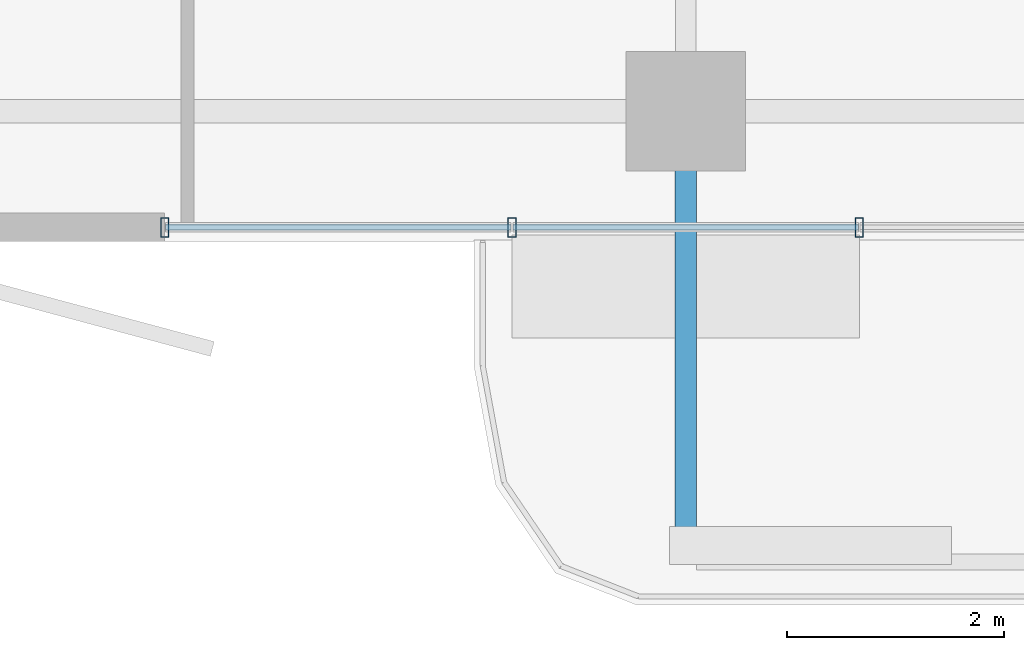
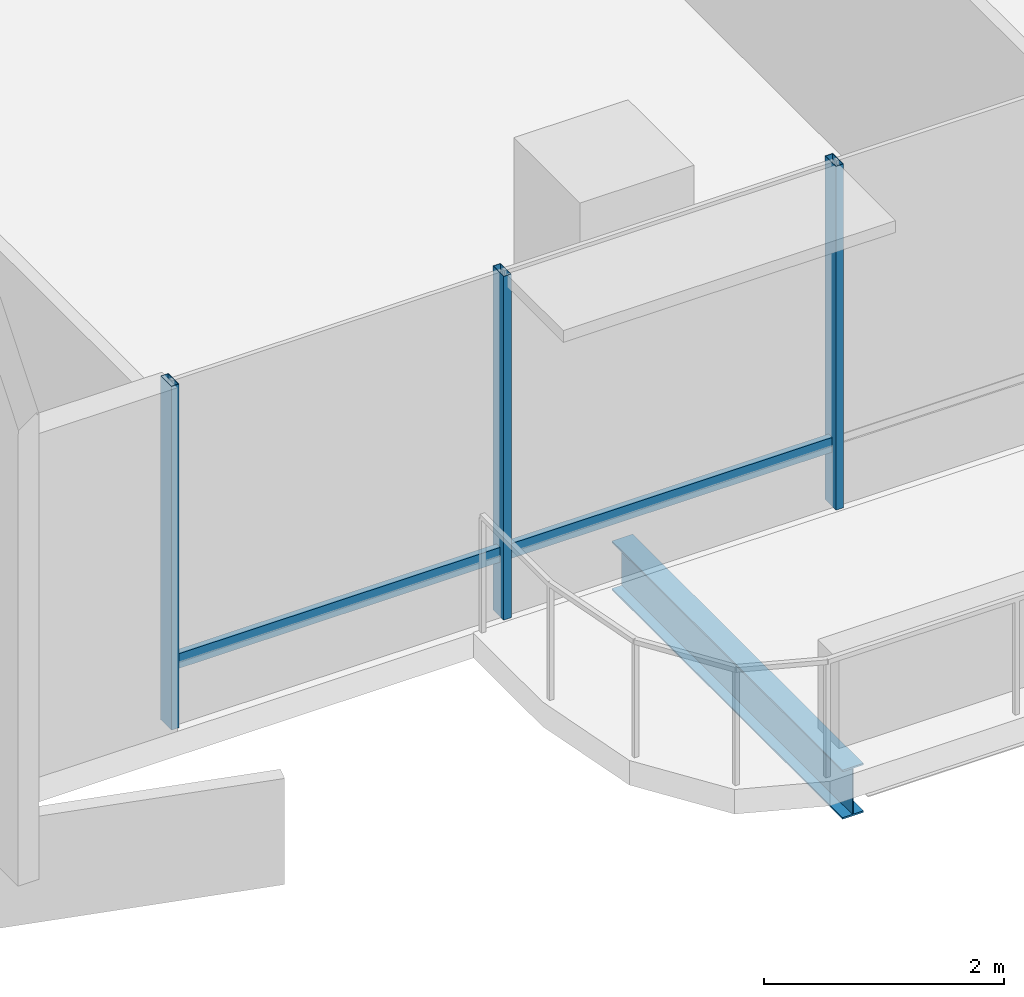
# One storey, part 2 of 24: 5 members, 1 beam, 1 element without a shape of its own.
"""IFC4 building model written with IfcOpenShell, lengths in metres."""

import ifcopenshell
import ifcopenshell.guid

model = None  # the IFC model being written
_history = None  # IfcOwnerHistory: only IFC2X3 demands one
_inside = {}  # id of a spatial element -> (the spatial element, [elements in it])
_under = {}  # id of a project, library or spatial element -> (it, [spatial elements below it])
_declared = {}  # id of a project -> (the project, [libraries it declares])
_typed = {}  # id of a type object -> (the type object, [elements of that type])
_made_of = {}  # id of a material, layer set ... -> (it, [elements and type objects made of it])


def new_model(schema):
    """Start an empty IFC model of exactly this schema.

    Asked for "IFC4X3", IfcOpenShell would pick the latest addendum, in which some entities
    have other attributes; the version numbers below select the first issue.
    IFC2X3 requires an IfcOwnerHistory on every rooted entity: one is made here for all.
    """
    global model, _history
    if schema == "IFC4X3":
        model = ifcopenshell.file(schema_version=(4, 3, 0, 0))
    else:
        model = ifcopenshell.file(schema=schema)
    _inside.clear()
    _under.clear()
    _declared.clear()
    _typed.clear()
    _made_of.clear()
    _history = None
    if model.schema == "IFC2X3":
        org = make("IfcOrganization", Name="unknown")
        user = make(
            "IfcPersonAndOrganization",
            ThePerson=make("IfcPerson", FamilyName="unknown"),
            TheOrganization=org,
        )
        app = make(
            "IfcApplication",
            ApplicationDeveloper=org,
            Version="unknown",
            ApplicationFullName="unknown",
            ApplicationIdentifier="unknown",
        )
        _history = make(
            "IfcOwnerHistory",
            OwningUser=user,
            OwningApplication=app,
            ChangeAction="ADDED",
            CreationDate=0,
        )
    return model


def make(cls, **values):
    """One entity of the class cls with the attributes given. An attribute that is None is left unset."""
    return model.create_entity(
        cls, **{name: value for name, value in values.items() if value is not None}
    )


def rooted(cls, **values):
    """An entity with a GlobalId (a new one), such as an element, a storey or a relation."""
    return make(cls, GlobalId=ifcopenshell.guid.new(), OwnerHistory=_history, **values)


def si_unit(unit_type, name, prefix=None):
    """IfcSIUnit, for example si_unit("LENGTHUNIT", "METRE", prefix="MILLI")."""
    return make("IfcSIUnit", UnitType=unit_type, Prefix=prefix, Name=name)


def assignment(units):
    """IfcUnitAssignment: the units of a project."""
    return None if units is None else make("IfcUnitAssignment", Units=units)


def point(xyz):
    """IfcCartesianPoint."""
    return None if xyz is None else make("IfcCartesianPoint", Coordinates=xyz)


def direction(xyz):
    """IfcDirection."""
    return None if xyz is None else make("IfcDirection", DirectionRatios=xyz)


def frame(location, z_axis=None, x_axis=None):
    """IfcAxis2Placement3D, a coordinate frame: its origin and axes. An axis left out is left unset."""
    return make(
        "IfcAxis2Placement3D",
        Location=point(location),
        Axis=direction(z_axis),
        RefDirection=direction(x_axis),
    )


def frame_2d(location, x_axis=None):
    """IfcAxis2Placement2D, a coordinate frame in the plane: its origin and x axis."""
    return make(
        "IfcAxis2Placement2D", Location=point(location), RefDirection=direction(x_axis)
    )


def origin():
    """The frame at (0, 0, 0) with its axes left unset."""
    return frame((0.0, 0.0, 0.0))


def origin_2d():
    """The frame at (0, 0) in the plane with its x axis left unset."""
    return frame_2d((0.0, 0.0))


def place(relative_to, where):
    """IfcLocalPlacement: puts the frame where relative to a parent placement (None: the world)."""
    return make(
        "IfcLocalPlacement", PlacementRelTo=relative_to, RelativePlacement=where
    )


def context(
    kind, dimensions, precision=None, world=None, true_north=None, identifier=None
):
    """IfcGeometricRepresentationContext, for example the 3D "Model" context."""
    return make(
        "IfcGeometricRepresentationContext",
        ContextIdentifier=identifier,
        ContextType=kind,
        CoordinateSpaceDimension=dimensions,
        Precision=precision,
        WorldCoordinateSystem=world,
        TrueNorth=true_north,
    )


def subcontext(parent, identifier, kind, view, scale=None):
    """IfcGeometricRepresentationSubContext, for example "Body" below "Model"."""
    return make(
        "IfcGeometricRepresentationSubContext",
        ContextIdentifier=identifier,
        ContextType=kind,
        ParentContext=parent,
        TargetScale=scale,
        TargetView=view,
    )


def project(units=None, contexts=None):
    """IfcProject with its units and contexts."""
    return rooted(
        "IfcProject",
        Name="project",
        RepresentationContexts=contexts,
        UnitsInContext=assignment(units),
    )


def spatial(cls, under=None, at=None, **own):
    """A site, building, storey or space (cls), placed at a placement, below another one or the project."""
    s = rooted(cls, ObjectPlacement=at, **own)
    if under is not None:
        _under.setdefault(under.id(), (under, []))[1].append(s)
    return s


def profile(cls, at=None, kind="AREA", **sizes):
    """A parametric profile (cls). Its sizes go by their IFC names, for example OverallWidth=200.0."""
    return make(cls, ProfileType=kind, Position=at, **sizes)


def hollow_rectangle(**sizes):
    """IfcRectangleHollowProfileDef."""
    return profile("IfcRectangleHollowProfileDef", **sizes)


def i_section(**sizes):
    """IfcIShapeProfileDef."""
    return profile("IfcIShapeProfileDef", **sizes)


def extrude(swept, where, along, depth):
    """IfcExtrudedAreaSolid: the profile swept, set in the frame where, extruded along a direction by depth."""
    return make(
        "IfcExtrudedAreaSolid",
        SweptArea=swept,
        Position=where,
        ExtrudedDirection=direction(along),
        Depth=depth,
    )


def shape(context_of_items, identifier, shape_type, items):
    """IfcShapeRepresentation: the items that make up one representation, for example the "Body"."""
    return make(
        "IfcShapeRepresentation",
        ContextOfItems=context_of_items,
        RepresentationIdentifier=identifier,
        RepresentationType=shape_type,
        Items=items,
    )


def material(Name=None, Category=None):
    """IfcMaterial."""
    return make("IfcMaterial", Name=Name, Category=Category)


def layer(
    of_material, thickness, ventilated=None, Name=None, Category=None, Priority=None
):
    """IfcMaterialLayer: one layer of a wall or slab, of a material (None: an air gap)."""
    return make(
        "IfcMaterialLayer",
        Material=of_material,
        LayerThickness=thickness,
        IsVentilated=ventilated,
        Name=Name,
        Category=Category,
        Priority=Priority,
    )


def layer_set(layers, Name=None):
    """IfcMaterialLayerSet."""
    return make("IfcMaterialLayerSet", MaterialLayers=layers, LayerSetName=Name)


def material_profile(
    of_material, cross_section, Name=None, Category=None, Priority=None
):
    """IfcMaterialProfile: a cross section and its material."""
    return make(
        "IfcMaterialProfile",
        Name=Name,
        Material=of_material,
        Profile=cross_section,
        Priority=Priority,
        Category=Category,
    )


def profile_set(profiles, Name=None, composite=None):
    """IfcMaterialProfileSet."""
    return make(
        "IfcMaterialProfileSet",
        Name=Name,
        MaterialProfiles=profiles,
        CompositeProfile=composite,
    )


def made_of(thing, what):
    """Note that an element or type object is made of a material, layer set ...; save() writes the relation."""
    if what is not None:
        _made_of.setdefault(what.id(), (what, []))[1].append(thing)
    return thing


def type_object(cls, material=None, **own):
    """A type object (cls), such as IfcWallType, which elements share."""
    return made_of(rooted(cls, **own), material)


def element(
    cls,
    number,
    at=None,
    inside=None,
    cuts=None,
    type_object=None,
    material=None,
    context=None,
    identifier="Body",
    shape_type=None,
    held_by="IfcProductDefinitionShape",
    body=None,
    shapes=None,
    **own,
):
    """One element of the class cls, such as IfcWall. Its Tag is "e" and its number.

    at: its placement. inside: the storey or other place that contains it. cuts: it is an
    opening in that element (IfcRelVoidsElement). A single representation is given by context,
    identifier, shape_type and body (its items); several are given by shapes. held_by: the class
    of the entity that holds the representations. save() writes the other relations.
    """
    e = rooted(cls, Tag="e%d" % number, ObjectPlacement=at, **own)
    if body is not None:
        shapes = [shape(context, identifier, shape_type, body)]
    if shapes is not None:
        e.Representation = make(held_by, Representations=shapes)
    if inside is not None:
        _inside.setdefault(inside.id(), (inside, []))[1].append(e)
    if cuts is not None:
        rooted(
            "IfcRelVoidsElement", RelatingBuildingElement=cuts, RelatedOpeningElement=e
        )
    if type_object is not None:
        _typed.setdefault(type_object.id(), (type_object, []))[1].append(e)
    return made_of(e, material)


def aggregate(whole, parts):
    """IfcRelAggregates: a whole, such as a stair, and the parts it consists of."""
    return rooted("IfcRelAggregates", RelatingObject=whole, RelatedObjects=parts)


def save(model, path):
    """Write the relations noted so far, then the file.

    IfcRelAggregates (storeys below a building ...), IfcRelContainedInSpatialStructure (elements
    in a storey), IfcRelDefinesByType, IfcRelAssociatesMaterial and IfcRelDeclares: one each for
    every whole, place, type object, material and project.
    """
    for whole, parts in _under.values():
        aggregate(whole, parts)
    for where, things in _inside.values():
        rooted(
            "IfcRelContainedInSpatialStructure",
            RelatedElements=things,
            RelatingStructure=where,
        )
    for kind, things in _typed.values():
        rooted("IfcRelDefinesByType", RelatedObjects=things, RelatingType=kind)
    for what, things in _made_of.values():
        rooted("IfcRelAssociatesMaterial", RelatedObjects=things, RelatingMaterial=what)
    for by, libraries in _declared.values():
        rooted("IfcRelDeclares", RelatingContext=by, RelatedDefinitions=libraries)
    model.write(path)


model = new_model("IFC4")

# Units and contexts
model_context = context("Model", 3, precision=1e-05, world=origin(), true_north=direction((0.0, 1.0)))
body_context = subcontext(model_context, "Body", "Model", "MODEL_VIEW")
ifc_project = project(units=[si_unit("LENGTHUNIT", "METRE"), si_unit("AREAUNIT", "SQUARE_METRE"), si_unit("VOLUMEUNIT", "CUBIC_METRE"), si_unit("PLANEANGLEUNIT", "RADIAN"), si_unit("MASSUNIT", "GRAM", prefix="KILO")], contexts=[model_context])

# Site, building, storey
site_placement = place(None, origin())
site = spatial("IfcSite", under=ifc_project, at=site_placement, CompositionType="ELEMENT")
building_placement = place(site_placement, origin())
building = spatial("IfcBuilding", under=site, at=building_placement, Name="Belovzor Exchange Tower", CompositionType="ELEMENT")
storey_placement = place(building_placement, frame((0.0, 0.0, 233.699951171875)))
storey = spatial("IfcBuildingStorey", under=building, at=storey_placement, Name="L58", CompositionType="ELEMENT", Elevation=233.699951171875)

# Beam
ifc_material_1 = material(Name="Steel S355", Category="steel")
ifc_material_profile_1 = material_profile(ifc_material_1, i_section(OverallWidth=0.199951171875, OverallDepth=0.5, WebThickness=0.01025390625, FlangeThickness=0.01611328125, at=origin_2d()))
ifc_profile_set_1 = profile_set([ifc_material_profile_1], Name="Steel S355")
beam_type = type_object("IfcBeamType", Name="Planted Balcony Cantilever Beam IPE 500", PredefinedType="BEAM", material=ifc_profile_set_1)
beam_placement = place(storey_placement, frame((28.800048828125, 2.697021484375, -0.5), z_axis=(0.0, -1.0, 0.0), x_axis=(1.0, 0.0, 0.0)))
element("IfcBeam", 1, at=beam_placement, inside=storey, type_object=beam_type, Name="BC-500 Planted Balcony Cantilever Beam IPE 500", PredefinedType="BEAM", context=body_context, shape_type="SweptSolid", body=[
    extrude(i_section(OverallWidth=0.199951171875, OverallDepth=0.5, WebThickness=0.01025390625, FlangeThickness=0.01611328125, at=origin_2d()), origin(), (0.0, 0.0, 1.0), 3.85009765625),
])

# Curtain wall, members
ifc_material_2 = material(Name="Anodised Aluminium Framing", Category="aluminium")
ifc_layer = layer(ifc_material_2, 0.179931640625)
ifc_layer_set = layer_set([ifc_layer], Name="Anodised Aluminium Framing")
curtain_wall_type = type_object("IfcCurtainWallType", Name="Recessed Loggia Low-Iron Triple-Glazed Curtain Wall", PredefinedType="NOTDEFINED", material=ifc_layer_set)
curtain_wall_placement = place(storey_placement, origin())
curtain_wall = element("IfcCurtainWall", 2, at=curtain_wall_placement, inside=storey, type_object=curtain_wall_type, Name="CW3 Recessed Loggia Low-Iron Triple-Glazed Curtain Wall L58", PredefinedType="NOTDEFINED")
ifc_material_3 = material(Name="Steel S355", Category="steel")
ifc_material_profile_2 = material_profile(ifc_material_3, hollow_rectangle(XDim=0.074951171875, YDim=0.179931640625, WallThickness=0.0048828125, at=origin_2d()))
ifc_profile_set_2 = profile_set([ifc_material_profile_2], Name="Steel S355")
member_type_1 = type_object("IfcMemberType", Name="Thermally Broken Curtain Wall Mullion 180x75", PredefinedType="MULLION", material=ifc_profile_set_2)
member_1_placement = place(storey_placement, frame((30.39990234375, 1.929931640625, 0.0), z_axis=(0.0, 0.0, 1.0), x_axis=(-1.0, 0.0, 0.0)))
member_1 = element("IfcMember", 3, at=member_1_placement, type_object=member_type_1, Name="CW-M180 Curtain Wall Mullion 2", PredefinedType="MULLION", context=body_context, shape_type="SweptSolid", body=[
    extrude(hollow_rectangle(XDim=0.074951171875, YDim=0.179931640625, WallThickness=0.0048828125, at=origin_2d()), origin(), (0.0, 0.0, 1.0), 3.5),
])
member_2_placement = place(storey_placement, frame((27.199951171875, 1.929931640625, 0.0), z_axis=(0.0, 0.0, 1.0), x_axis=(-1.0, 0.0, 0.0)))
member_2 = element("IfcMember", 4, at=member_2_placement, type_object=member_type_1, Name="CW-M180 Curtain Wall Mullion 3", PredefinedType="MULLION", context=body_context, shape_type="SweptSolid", body=[
    extrude(hollow_rectangle(XDim=0.074951171875, YDim=0.179931640625, WallThickness=0.0048828125, at=origin_2d()), origin(), (0.0, 0.0, 1.0), 3.5),
])
member_3_placement = place(storey_placement, frame((24.0, 1.929931640625, 0.0), z_axis=(0.0, 0.0, 1.0), x_axis=(-1.0, 0.0, 0.0)))
member_3 = element("IfcMember", 5, at=member_3_placement, type_object=member_type_1, Name="CW-M180 Curtain Wall Mullion 4", PredefinedType="MULLION", context=body_context, shape_type="SweptSolid", body=[
    extrude(hollow_rectangle(XDim=0.074951171875, YDim=0.179931640625, WallThickness=0.0048828125, at=origin_2d()), origin(), (0.0, 0.0, 1.0), 3.5),
])
ifc_material_4 = material(Name="Steel S355", Category="steel")
ifc_material_profile_3 = material_profile(ifc_material_4, hollow_rectangle(XDim=0.06005859375, YDim=0.14990234375, WallThickness=0.00390625, at=origin_2d()))
ifc_profile_set_3 = profile_set([ifc_material_profile_3], Name="Steel S355")
member_type_2 = type_object("IfcMemberType", Name="Thermally Broken Curtain Wall Transom 150x60", PredefinedType="USERDEFINED", material=ifc_profile_set_3)
member_4_placement = place(storey_placement, frame((30.39208984375, 1.929931640625, 0.630126953125), z_axis=(-1.0, 0.0, 0.0), x_axis=(0.0, -1.0, 0.0)))
member_4 = element("IfcMember", 6, at=member_4_placement, type_object=member_type_2, Name="CW-T150 Curtain Wall Transom 2", ObjectType="TRANSOM", PredefinedType="USERDEFINED", context=body_context, shape_type="SweptSolid", body=[
    extrude(hollow_rectangle(XDim=0.06005859375, YDim=0.14990234375, WallThickness=0.00390625, at=origin_2d()), origin(), (0.0, 0.0, 1.0), 3.18408203125),
])
member_5_placement = place(storey_placement, frame((27.19189453125, 1.929931640625, 0.630126953125), z_axis=(-1.0, 0.0, 0.0), x_axis=(0.0, -1.0, 0.0)))
member_5 = element("IfcMember", 7, at=member_5_placement, type_object=member_type_2, Name="CW-T150 Curtain Wall Transom 3", ObjectType="TRANSOM", PredefinedType="USERDEFINED", context=body_context, shape_type="SweptSolid", body=[
    extrude(hollow_rectangle(XDim=0.06005859375, YDim=0.14990234375, WallThickness=0.00390625, at=origin_2d()), origin(), (0.0, 0.0, 1.0), 3.183837890625),
])
aggregate(curtain_wall, [member_1, member_2, member_3, member_4, member_5])

save(model, "model.ifc")
